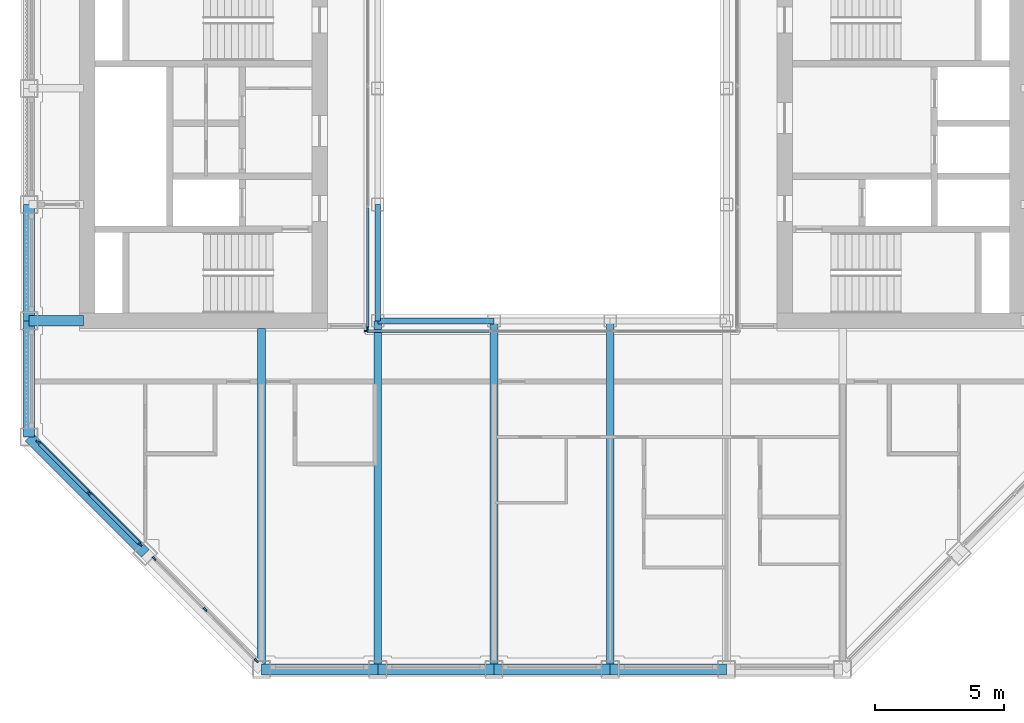
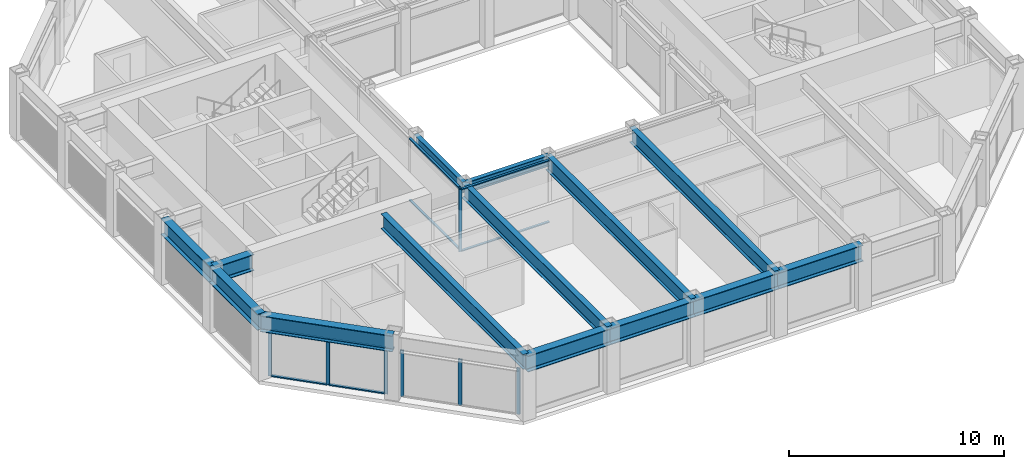
# One storey, part 2 of 17: 16 members, 14 beams, 4 elements without a shape of their own.
"""IFC4 building model written with IfcOpenShell, lengths in metres."""

import ifcopenshell
import ifcopenshell.guid

model = None  # the IFC model being written
_history = None  # IfcOwnerHistory: only IFC2X3 demands one
_inside = {}  # id of a spatial element -> (the spatial element, [elements in it])
_under = {}  # id of a project, library or spatial element -> (it, [spatial elements below it])
_declared = {}  # id of a project -> (the project, [libraries it declares])
_typed = {}  # id of a type object -> (the type object, [elements of that type])
_made_of = {}  # id of a material, layer set ... -> (it, [elements and type objects made of it])


def new_model(schema):
    """Start an empty IFC model of exactly this schema.

    Asked for "IFC4X3", IfcOpenShell would pick the latest addendum, in which some entities
    have other attributes; the version numbers below select the first issue.
    IFC2X3 requires an IfcOwnerHistory on every rooted entity: one is made here for all.
    """
    global model, _history
    if schema == "IFC4X3":
        model = ifcopenshell.file(schema_version=(4, 3, 0, 0))
    else:
        model = ifcopenshell.file(schema=schema)
    _inside.clear()
    _under.clear()
    _declared.clear()
    _typed.clear()
    _made_of.clear()
    _history = None
    if model.schema == "IFC2X3":
        org = make("IfcOrganization", Name="unknown")
        user = make(
            "IfcPersonAndOrganization",
            ThePerson=make("IfcPerson", FamilyName="unknown"),
            TheOrganization=org,
        )
        app = make(
            "IfcApplication",
            ApplicationDeveloper=org,
            Version="unknown",
            ApplicationFullName="unknown",
            ApplicationIdentifier="unknown",
        )
        _history = make(
            "IfcOwnerHistory",
            OwningUser=user,
            OwningApplication=app,
            ChangeAction="ADDED",
            CreationDate=0,
        )
    return model


def make(cls, **values):
    """One entity of the class cls with the attributes given. An attribute that is None is left unset."""
    return model.create_entity(
        cls, **{name: value for name, value in values.items() if value is not None}
    )


def rooted(cls, **values):
    """An entity with a GlobalId (a new one), such as an element, a storey or a relation."""
    return make(cls, GlobalId=ifcopenshell.guid.new(), OwnerHistory=_history, **values)


def si_unit(unit_type, name, prefix=None):
    """IfcSIUnit, for example si_unit("LENGTHUNIT", "METRE", prefix="MILLI")."""
    return make("IfcSIUnit", UnitType=unit_type, Prefix=prefix, Name=name)


def assignment(units):
    """IfcUnitAssignment: the units of a project."""
    return None if units is None else make("IfcUnitAssignment", Units=units)


def point(xyz):
    """IfcCartesianPoint."""
    return None if xyz is None else make("IfcCartesianPoint", Coordinates=xyz)


def direction(xyz):
    """IfcDirection."""
    return None if xyz is None else make("IfcDirection", DirectionRatios=xyz)


def frame(location, z_axis=None, x_axis=None):
    """IfcAxis2Placement3D, a coordinate frame: its origin and axes. An axis left out is left unset."""
    return make(
        "IfcAxis2Placement3D",
        Location=point(location),
        Axis=direction(z_axis),
        RefDirection=direction(x_axis),
    )


def frame_2d(location, x_axis=None):
    """IfcAxis2Placement2D, a coordinate frame in the plane: its origin and x axis."""
    return make(
        "IfcAxis2Placement2D", Location=point(location), RefDirection=direction(x_axis)
    )


def origin():
    """The frame at (0, 0, 0) with its axes left unset."""
    return frame((0.0, 0.0, 0.0))


def origin_2d():
    """The frame at (0, 0) in the plane with its x axis left unset."""
    return frame_2d((0.0, 0.0))


def place(relative_to, where):
    """IfcLocalPlacement: puts the frame where relative to a parent placement (None: the world)."""
    return make(
        "IfcLocalPlacement", PlacementRelTo=relative_to, RelativePlacement=where
    )


def context(
    kind, dimensions, precision=None, world=None, true_north=None, identifier=None
):
    """IfcGeometricRepresentationContext, for example the 3D "Model" context."""
    return make(
        "IfcGeometricRepresentationContext",
        ContextIdentifier=identifier,
        ContextType=kind,
        CoordinateSpaceDimension=dimensions,
        Precision=precision,
        WorldCoordinateSystem=world,
        TrueNorth=true_north,
    )


def subcontext(parent, identifier, kind, view, scale=None):
    """IfcGeometricRepresentationSubContext, for example "Body" below "Model"."""
    return make(
        "IfcGeometricRepresentationSubContext",
        ContextIdentifier=identifier,
        ContextType=kind,
        ParentContext=parent,
        TargetScale=scale,
        TargetView=view,
    )


def project(units=None, contexts=None):
    """IfcProject with its units and contexts."""
    return rooted(
        "IfcProject",
        Name="project",
        RepresentationContexts=contexts,
        UnitsInContext=assignment(units),
    )


def spatial(cls, under=None, at=None, **own):
    """A site, building, storey or space (cls), placed at a placement, below another one or the project."""
    s = rooted(cls, ObjectPlacement=at, **own)
    if under is not None:
        _under.setdefault(under.id(), (under, []))[1].append(s)
    return s


def profile(cls, at=None, kind="AREA", **sizes):
    """A parametric profile (cls). Its sizes go by their IFC names, for example OverallWidth=200.0."""
    return make(cls, ProfileType=kind, Position=at, **sizes)


def rectangle(**sizes):
    """IfcRectangleProfileDef."""
    return profile("IfcRectangleProfileDef", **sizes)


def i_section(**sizes):
    """IfcIShapeProfileDef."""
    return profile("IfcIShapeProfileDef", **sizes)


def extrude(swept, where, along, depth):
    """IfcExtrudedAreaSolid: the profile swept, set in the frame where, extruded along a direction by depth."""
    return make(
        "IfcExtrudedAreaSolid",
        SweptArea=swept,
        Position=where,
        ExtrudedDirection=direction(along),
        Depth=depth,
    )


def shape(context_of_items, identifier, shape_type, items):
    """IfcShapeRepresentation: the items that make up one representation, for example the "Body"."""
    return make(
        "IfcShapeRepresentation",
        ContextOfItems=context_of_items,
        RepresentationIdentifier=identifier,
        RepresentationType=shape_type,
        Items=items,
    )


def material(Name=None, Category=None):
    """IfcMaterial."""
    return make("IfcMaterial", Name=Name, Category=Category)


def material_profile(
    of_material, cross_section, Name=None, Category=None, Priority=None
):
    """IfcMaterialProfile: a cross section and its material."""
    return make(
        "IfcMaterialProfile",
        Name=Name,
        Material=of_material,
        Profile=cross_section,
        Priority=Priority,
        Category=Category,
    )


def profile_set(profiles, Name=None, composite=None):
    """IfcMaterialProfileSet."""
    return make(
        "IfcMaterialProfileSet",
        Name=Name,
        MaterialProfiles=profiles,
        CompositeProfile=composite,
    )


def made_of(thing, what):
    """Note that an element or type object is made of a material, layer set ...; save() writes the relation."""
    if what is not None:
        _made_of.setdefault(what.id(), (what, []))[1].append(thing)
    return thing


def type_object(cls, material=None, **own):
    """A type object (cls), such as IfcWallType, which elements share."""
    return made_of(rooted(cls, **own), material)


def element(
    cls,
    number,
    at=None,
    inside=None,
    cuts=None,
    type_object=None,
    material=None,
    context=None,
    identifier="Body",
    shape_type=None,
    held_by="IfcProductDefinitionShape",
    body=None,
    shapes=None,
    **own,
):
    """One element of the class cls, such as IfcWall. Its Tag is "e" and its number.

    at: its placement. inside: the storey or other place that contains it. cuts: it is an
    opening in that element (IfcRelVoidsElement). A single representation is given by context,
    identifier, shape_type and body (its items); several are given by shapes. held_by: the class
    of the entity that holds the representations. save() writes the other relations.
    """
    e = rooted(cls, Tag="e%d" % number, ObjectPlacement=at, **own)
    if body is not None:
        shapes = [shape(context, identifier, shape_type, body)]
    if shapes is not None:
        e.Representation = make(held_by, Representations=shapes)
    if inside is not None:
        _inside.setdefault(inside.id(), (inside, []))[1].append(e)
    if cuts is not None:
        rooted(
            "IfcRelVoidsElement", RelatingBuildingElement=cuts, RelatedOpeningElement=e
        )
    if type_object is not None:
        _typed.setdefault(type_object.id(), (type_object, []))[1].append(e)
    return made_of(e, material)


def aggregate(whole, parts):
    """IfcRelAggregates: a whole, such as a stair, and the parts it consists of."""
    return rooted("IfcRelAggregates", RelatingObject=whole, RelatedObjects=parts)


def save(model, path):
    """Write the relations noted so far, then the file.

    IfcRelAggregates (storeys below a building ...), IfcRelContainedInSpatialStructure (elements
    in a storey), IfcRelDefinesByType, IfcRelAssociatesMaterial and IfcRelDeclares: one each for
    every whole, place, type object, material and project.
    """
    for whole, parts in _under.values():
        aggregate(whole, parts)
    for where, things in _inside.values():
        rooted(
            "IfcRelContainedInSpatialStructure",
            RelatedElements=things,
            RelatingStructure=where,
        )
    for kind, things in _typed.values():
        rooted("IfcRelDefinesByType", RelatedObjects=things, RelatingType=kind)
    for what, things in _made_of.values():
        rooted("IfcRelAssociatesMaterial", RelatedObjects=things, RelatingMaterial=what)
    for by, libraries in _declared.values():
        rooted("IfcRelDeclares", RelatingContext=by, RelatedDefinitions=libraries)
    model.write(path)


model = new_model("IFC4")

# Units and contexts
model_context = context("Model", 3, precision=1e-05, world=origin(), true_north=direction((0.0, 1.0)))
body_context = subcontext(model_context, "Body", "Model", "MODEL_VIEW")
ifc_project = project(units=[si_unit("LENGTHUNIT", "METRE"), si_unit("AREAUNIT", "SQUARE_METRE"), si_unit("VOLUMEUNIT", "CUBIC_METRE"), si_unit("PLANEANGLEUNIT", "RADIAN"), si_unit("MASSUNIT", "GRAM", prefix="KILO")], contexts=[model_context])

# Site, building, storey
site_placement = place(None, origin())
site = spatial("IfcSite", under=ifc_project, at=site_placement, CompositionType="ELEMENT")
building_placement = place(site_placement, origin())
building = spatial("IfcBuilding", under=site, at=building_placement, Name="Msasa Ring Tower", CompositionType="ELEMENT")
storey_placement = place(building_placement, frame((0.0, 0.0, 238.300048828125)))
storey = spatial("IfcBuildingStorey", under=building, at=storey_placement, Name="L62", CompositionType="ELEMENT", Elevation=238.300048828125)

# Curtain wall, members
ifc_material_1 = material(Name="Aluminium curtain wall with clear glass", Category="aluminium")
curtain_wall_type_1 = type_object("IfcCurtainWallType", Name="CW-C CHAMFER CORNER CURTAIN WALL", PredefinedType="NOTDEFINED", material=ifc_material_1)
curtain_wall_1_placement = place(storey_placement, origin())
curtain_wall_1 = element("IfcCurtainWall", 1, at=curtain_wall_1_placement, inside=storey, type_object=curtain_wall_type_1, Name="Chamfer corner curtain wall SW L62", PredefinedType="NOTDEFINED")
ifc_material_2 = material(Name="Aluminium mullion", Category="aluminium")
ifc_material_profile_1 = material_profile(ifc_material_2, rectangle(XDim=0.06494140625, YDim=0.179931640625, at=origin_2d()), Name="AL 65x180")
ifc_profile_set_1 = profile_set([ifc_material_profile_1], Name="Aluminium mullion")
member_type_1 = type_object("IfcMemberType", Name="CW-C MULLION 65x180", PredefinedType="MULLION", material=ifc_profile_set_1)
member_1_placement = place(storey_placement, frame((-19.9052734375, -11.453369140625, 0.0), z_axis=(0.0, 0.0, 1.0), x_axis=(0.707106781187, 0.707106781187, 0.0)))
member_1 = element("IfcMember", 2, at=member_1_placement, type_object=member_type_1, Name="CW-C mullion 1", PredefinedType="MULLION", context=body_context, shape_type="SweptSolid", body=[
    extrude(rectangle(XDim=0.06494140625, YDim=0.179931640625, at=origin_2d()), origin(), (0.0, 0.0, 1.0), 2.62890625),
])
member_2_placement = place(storey_placement, frame((-17.92919921875, -13.42919921875, 0.0), z_axis=(0.0, 0.0, 1.0), x_axis=(0.707106781187, 0.707106781187, 0.0)))
member_2 = element("IfcMember", 3, at=member_2_placement, type_object=member_type_1, Name="CW-C mullion 2", PredefinedType="MULLION", context=body_context, shape_type="SweptSolid", body=[
    extrude(rectangle(XDim=0.06494140625, YDim=0.179931640625, at=origin_2d()), origin(), (0.0, 0.0, 1.0), 2.62890625),
])
member_3_placement = place(storey_placement, frame((-15.953369140625, -15.4052734375, 0.0), z_axis=(0.0, 0.0, 1.0), x_axis=(0.707106781187, 0.707106781187, 0.0)))
member_3 = element("IfcMember", 4, at=member_3_placement, type_object=member_type_1, Name="CW-C mullion 3", PredefinedType="MULLION", context=body_context, shape_type="SweptSolid", body=[
    extrude(rectangle(XDim=0.06494140625, YDim=0.179931640625, at=origin_2d()), origin(), (0.0, 0.0, 1.0), 2.62890625),
])

curtain_wall_2_placement = place(storey_placement, origin())
curtain_wall_2 = element("IfcCurtainWall", 5, at=curtain_wall_2_placement, inside=storey, type_object=curtain_wall_type_1, Name="Chamfer corner curtain wall SW L62", PredefinedType="NOTDEFINED")
member_4_placement = place(storey_placement, frame((-15.4052734375, -15.953369140625, 0.0), z_axis=(0.0, 0.0, 1.0), x_axis=(0.707106781187, 0.707106781187, 0.0)))
member_4 = element("IfcMember", 6, at=member_4_placement, type_object=member_type_1, Name="CW-C mullion 1", PredefinedType="MULLION", context=body_context, shape_type="SweptSolid", body=[
    extrude(rectangle(XDim=0.06494140625, YDim=0.179931640625, at=origin_2d()), origin(), (0.0, 0.0, 1.0), 2.62890625),
])
member_5_placement = place(storey_placement, frame((-13.42919921875, -17.92919921875, 0.0), z_axis=(0.0, 0.0, 1.0), x_axis=(0.707106781187, 0.707106781187, 0.0)))
member_5 = element("IfcMember", 7, at=member_5_placement, type_object=member_type_1, Name="CW-C mullion 2", PredefinedType="MULLION", context=body_context, shape_type="SweptSolid", body=[
    extrude(rectangle(XDim=0.06494140625, YDim=0.179931640625, at=origin_2d()), origin(), (0.0, 0.0, 1.0), 2.62890625),
])
member_6_placement = place(storey_placement, frame((-11.453369140625, -19.9052734375, 0.0), z_axis=(0.0, 0.0, 1.0), x_axis=(0.707106781187, 0.707106781187, 0.0)))
member_6 = element("IfcMember", 8, at=member_6_placement, type_object=member_type_1, Name="CW-C mullion 3", PredefinedType="MULLION", context=body_context, shape_type="SweptSolid", body=[
    extrude(rectangle(XDim=0.06494140625, YDim=0.179931640625, at=origin_2d()), origin(), (0.0, 0.0, 1.0), 2.62890625),
])
aggregate(curtain_wall_2, [member_4, member_5, member_6])

# Member
ifc_material_3 = material(Name="Aluminium transom", Category="aluminium")
ifc_material_profile_2 = material_profile(ifc_material_3, rectangle(XDim=0.139892578125, YDim=0.06494140625, at=origin_2d()), Name="AL 65x140")
ifc_profile_set_2 = profile_set([ifc_material_profile_2], Name="Aluminium transom")
member_type_2 = type_object("IfcMemberType", Name="CW-C TRANSOM 65x140", PredefinedType="USERDEFINED", material=ifc_profile_set_2)
member_7_placement = place(storey_placement, frame((-19.88232421875, -11.476318359375, 0.032470703125), z_axis=(0.707106781187, -0.707106781187, 0.0), x_axis=(0.707106781187, 0.707106781187, 0.0)))
member_7 = element("IfcMember", 9, at=member_7_placement, type_object=member_type_2, Name="CW-C transom 1.1", ObjectType="TRANSOM", PredefinedType="USERDEFINED", context=body_context, shape_type="SweptSolid", body=[
    extrude(rectangle(XDim=0.139892578125, YDim=0.06494140625, at=origin_2d()), origin(), (0.0, 0.0, 1.0), 2.729248046875),
])

member_8_placement = place(storey_placement, frame((-19.88232421875, -11.476318359375, 2.596435546875), z_axis=(0.707106781187, -0.707106781187, 0.0), x_axis=(0.707106781187, 0.707106781187, 0.0)))
member_8 = element("IfcMember", 10, at=member_8_placement, type_object=member_type_2, Name="CW-C transom 1.2", ObjectType="TRANSOM", PredefinedType="USERDEFINED", context=body_context, shape_type="SweptSolid", body=[
    extrude(rectangle(XDim=0.139892578125, YDim=0.06494140625, at=origin_2d()), origin(), (0.0, 0.0, 1.0), 2.729248046875),
])

member_9_placement = place(storey_placement, frame((-17.90625, -13.452392578125, 0.032470703125), z_axis=(0.707106781187, -0.707106781187, 0.0), x_axis=(0.707106781187, 0.707106781187, 0.0)))
member_9 = element("IfcMember", 11, at=member_9_placement, type_object=member_type_2, Name="CW-C transom 2.1", ObjectType="TRANSOM", PredefinedType="USERDEFINED", context=body_context, shape_type="SweptSolid", body=[
    extrude(rectangle(XDim=0.139892578125, YDim=0.06494140625, at=origin_2d()), origin(), (0.0, 0.0, 1.0), 2.729248046875),
])

member_10_placement = place(storey_placement, frame((-17.90625, -13.452392578125, 2.596435546875), z_axis=(0.707106781187, -0.707106781187, 0.0), x_axis=(0.707106781187, 0.707106781187, 0.0)))
member_10 = element("IfcMember", 12, at=member_10_placement, type_object=member_type_2, Name="CW-C transom 2.2", ObjectType="TRANSOM", PredefinedType="USERDEFINED", context=body_context, shape_type="SweptSolid", body=[
    extrude(rectangle(XDim=0.139892578125, YDim=0.06494140625, at=origin_2d()), origin(), (0.0, 0.0, 1.0), 2.729248046875),
])

aggregate(curtain_wall_1, [member_1, member_2, member_3, member_7, member_8, member_9, member_10])

# Curtain wall, member
ifc_material_4 = material(Name="Aluminium curtain wall with clear glass", Category="aluminium")
curtain_wall_type_2 = type_object("IfcCurtainWallType", Name="CW-W LIGHT WELL CURTAIN WALL", PredefinedType="NOTDEFINED", material=ifc_material_4)
curtain_wall_3_placement = place(storey_placement, origin())
curtain_wall_3 = element("IfcCurtainWall", 13, at=curtain_wall_3_placement, inside=storey, type_object=curtain_wall_type_2, Name="Light well curtain wall S L62", PredefinedType="NOTDEFINED")
ifc_material_5 = material(Name="Aluminium mullion", Category="aluminium")
ifc_material_profile_3 = material_profile(ifc_material_5, rectangle(XDim=0.06005859375, YDim=0.159912109375, at=origin_2d()), Name="AL 60x160")
ifc_profile_set_3 = profile_set([ifc_material_profile_3], Name="Aluminium mullion")
member_type_3 = type_object("IfcMemberType", Name="CW-W MULLION 60x160", PredefinedType="MULLION", material=ifc_profile_set_3)
member_11_placement = place(storey_placement, frame((-7.199951171875, -7.14990234375, 0.0), z_axis=(0.0, 0.0, 1.0), x_axis=(0.0, 1.0, 0.0)))
member_11 = element("IfcMember", 14, at=member_11_placement, type_object=member_type_3, Name="CW-W mullion 1", PredefinedType="MULLION", context=body_context, shape_type="SweptSolid", body=[
    extrude(rectangle(XDim=0.06005859375, YDim=0.159912109375, at=origin_2d()), origin(), (0.0, 0.0, 1.0), 3.550048828125),
])

curtain_wall_4_placement = place(storey_placement, origin())
curtain_wall_4 = element("IfcCurtainWall", 15, at=curtain_wall_4_placement, inside=storey, type_object=curtain_wall_type_2, Name="Light well curtain wall W L62", PredefinedType="NOTDEFINED")
member_12_placement = place(storey_placement, frame((-7.14990234375, -7.0400390625, 0.0), z_axis=(0.0, 0.0, 1.0), x_axis=(-1.0, 0.0, 0.0)))
member_12 = element("IfcMember", 16, at=member_12_placement, type_object=member_type_3, Name="CW-W mullion 1", PredefinedType="MULLION", context=body_context, shape_type="SweptSolid", body=[
    extrude(rectangle(XDim=0.06005859375, YDim=0.159912109375, at=origin_2d()), origin(), (0.0, 0.0, 1.0), 3.550048828125),
])

# Member
ifc_material_6 = material(Name="Aluminium transom", Category="aluminium")
ifc_material_profile_4 = material_profile(ifc_material_6, rectangle(XDim=0.1201171875, YDim=0.06005859375, at=origin_2d()), Name="AL 60x120")
ifc_profile_set_4 = profile_set([ifc_material_profile_4], Name="Aluminium transom")
member_type_4 = type_object("IfcMemberType", Name="CW-W TRANSOM 60x120", PredefinedType="USERDEFINED", material=ifc_profile_set_4)
member_13_placement = place(storey_placement, frame((-7.169921875, -7.14990234375, 0.030029296875), z_axis=(1.0, 0.0, 0.0), x_axis=(0.0, 1.0, 0.0)))
member_13 = element("IfcMember", 17, at=member_13_placement, type_object=member_type_4, Name="CW-W transom 1.1", ObjectType="TRANSOM", PredefinedType="USERDEFINED", context=body_context, shape_type="SweptSolid", body=[
    extrude(rectangle(XDim=0.1201171875, YDim=0.06005859375, at=origin_2d()), origin(), (0.0, 0.0, 1.0), 4.72998046875),
])

member_14_placement = place(storey_placement, frame((-7.169921875, -7.14990234375, 3.52001953125), z_axis=(1.0, 0.0, 0.0), x_axis=(0.0, 1.0, 0.0)))
member_14 = element("IfcMember", 18, at=member_14_placement, type_object=member_type_4, Name="CW-W transom 1.2", ObjectType="TRANSOM", PredefinedType="USERDEFINED", context=body_context, shape_type="SweptSolid", body=[
    extrude(rectangle(XDim=0.1201171875, YDim=0.06005859375, at=origin_2d()), origin(), (0.0, 0.0, 1.0), 4.72998046875),
])

aggregate(curtain_wall_3, [member_11, member_13, member_14])

member_15_placement = place(storey_placement, frame((-7.14990234375, -7.010009765625, 0.030029296875), z_axis=(0.0, 1.0, 0.0), x_axis=(-1.0, 0.0, 0.0)))
member_15 = element("IfcMember", 19, at=member_15_placement, type_object=member_type_4, Name="CW-W transom 1.1", ObjectType="TRANSOM", PredefinedType="USERDEFINED", context=body_context, shape_type="SweptSolid", body=[
    extrude(rectangle(XDim=0.1201171875, YDim=0.06005859375, at=origin_2d()), origin(), (0.0, 0.0, 1.0), 4.623291015625),
])

member_16_placement = place(storey_placement, frame((-7.14990234375, -7.010009765625, 3.52001953125), z_axis=(0.0, 1.0, 0.0), x_axis=(-1.0, 0.0, 0.0)))
member_16 = element("IfcMember", 20, at=member_16_placement, type_object=member_type_4, Name="CW-W transom 1.2", ObjectType="TRANSOM", PredefinedType="USERDEFINED", context=body_context, shape_type="SweptSolid", body=[
    extrude(rectangle(XDim=0.1201171875, YDim=0.06005859375, at=origin_2d()), origin(), (0.0, 0.0, 1.0), 4.623291015625),
])

aggregate(curtain_wall_4, [member_12, member_15, member_16])

# Beams
ifc_material_7 = material(Name="Steel S355", Category="steel")
ifc_material_profile_5 = material_profile(ifc_material_7, i_section(OverallWidth=0.293701171875, OverallDepth=0.850830078125, WebThickness=0.01611328125, FlangeThickness=0.02685546875, FilletRadius=0.017822265625, at=origin_2d()), Name="UB 838x292x226")
ifc_profile_set_5 = profile_set([ifc_material_profile_5], Name="Steel S355")
beam_type_1 = type_object("IfcBeamType", Name="FB5 UB 838x292x226", PredefinedType="BEAM", material=ifc_profile_set_5)
beam_1_placement = place(storey_placement, frame((-11.25, -20.25, 3.12451171875), z_axis=(0.0, 1.0, 0.0), x_axis=(-1.0, 0.0, 0.0)))
element("IfcBeam", 21, at=beam_1_placement, inside=storey, type_object=beam_type_1, Name="Floor beam S-11.25 under L63", PredefinedType="BEAM", context=body_context, shape_type="SweptSolid", body=[
    extrude(i_section(OverallWidth=0.293701171875, OverallDepth=0.850830078125, WebThickness=0.01611328125, FlangeThickness=0.02685546875, FilletRadius=0.017822265625, at=origin_2d()), origin(), (0.0, 0.0, 1.0), 13.199951171875),
])
for number, where, z_axis, x_axis, name in (
    (22, (-6.75, -20.25, 3.12451171875), (0.0, 1.0, 0.0), (-1.0, 0.0, 0.0), "Floor beam S-6.75 under L63"),
    (23, (-2.25, -20.25, 3.12451171875), (0.0, 1.0, 0.0), (-1.0, 0.0, 0.0), "Floor beam S-2.25 under L63"),
    (24, (2.25, -20.25, 3.12451171875), (0.0, 1.0, 0.0), (-1.0, 0.0, 0.0), "Floor beam S+2.25 under L63"),
):
    element("IfcBeam", number, at=place(storey_placement, frame(where, z_axis=z_axis, x_axis=x_axis)), inside=storey, type_object=beam_type_1, Name=name, PredefinedType="BEAM", context=body_context, shape_type="SweptSolid", body=[
        extrude(i_section(OverallWidth=0.293701171875, OverallDepth=0.850830078125, WebThickness=0.01611328125, FlangeThickness=0.02685546875, FilletRadius=0.017822265625, at=origin_2d()), origin(), (0.0, 0.0, 1.0), 13.5),
    ])
ifc_material_8 = material(Name="Steel S355", Category="steel")
ifc_material_profile_6 = material_profile(ifc_material_8, i_section(OverallWidth=0.42041015625, OverallDepth=0.9208984375, WebThickness=0.021484375, FlangeThickness=0.03662109375, FilletRadius=0.024169921875, at=origin_2d()), Name="UB 914x419x388")
ifc_profile_set_6 = profile_set([ifc_material_profile_6], Name="Steel S355")
beam_type_2 = type_object("IfcBeamType", Name="GB1 UB 914x419x388", PredefinedType="BEAM", material=ifc_profile_set_6)
beam_2_placement = place(storey_placement, frame((-18.14990234375, -6.75, 3.08935546875), z_axis=(-1.0, 0.0, 0.0), x_axis=(0.0, -1.0, 0.0)))
element("IfcBeam", 25, at=beam_2_placement, inside=storey, type_object=beam_type_2, Name="Girder W -6.75 under L63", PredefinedType="BEAM", context=body_context, shape_type="SweptSolid", body=[
    extrude(i_section(OverallWidth=0.42041015625, OverallDepth=0.9208984375, WebThickness=0.021484375, FlangeThickness=0.03662109375, FilletRadius=0.024169921875, at=origin_2d()), origin(), (0.0, 0.0, 1.0), 2.10009765625),
])
ifc_material_9 = material(Name="Steel S355", Category="steel")
ifc_material_profile_7 = material_profile(ifc_material_9, i_section(OverallWidth=0.230224609375, OverallDepth=0.6171875, WebThickness=0.01318359375, FlangeThickness=0.022216796875, FilletRadius=0.0126953125, at=origin_2d()), Name="UB 610x229x140")
ifc_profile_set_7 = profile_set([ifc_material_profile_7], Name="Steel S355")
beam_type_3 = type_object("IfcBeamType", Name="RB1 UB 610x229x140", PredefinedType="BEAM", material=ifc_profile_set_7)
for number, where, z_axis, x_axis, name in (
    (26, (-6.75, -2.25, 3.241455078125), (0.0, -1.0, 0.0), (1.0, 0.0, 0.0), "Inner ring beam IR-6.75-2.25 under L63"),
    (27, (-6.75, -6.75, 3.241455078125), (1.0, 0.0, 0.0), (0.0, 1.0, 0.0), "Inner ring beam IR-6.75-6.75 under L63"),
):
    element("IfcBeam", number, at=place(storey_placement, frame(where, z_axis=z_axis, x_axis=x_axis)), inside=storey, type_object=beam_type_3, Name=name, PredefinedType="BEAM", context=body_context, shape_type="SweptSolid", body=[
        extrude(i_section(OverallWidth=0.230224609375, OverallDepth=0.6171875, WebThickness=0.01318359375, FlangeThickness=0.022216796875, FilletRadius=0.0126953125, at=origin_2d()), origin(), (0.0, 0.0, 1.0), 4.5),
    ])
ifc_material_10 = material(Name="Steel S355", Category="steel")
ifc_material_profile_8 = material_profile(ifc_material_10, i_section(OverallWidth=0.42041015625, OverallDepth=0.9208984375, WebThickness=0.021484375, FlangeThickness=0.03662109375, FilletRadius=0.024169921875, at=origin_2d()), Name="UB 914x419x388")
ifc_profile_set_8 = profile_set([ifc_material_profile_8], Name="Steel S355")
beam_type_4 = type_object("IfcBeamType", Name="SB1 UB 914x419x388", PredefinedType="SPANDREL", material=ifc_profile_set_8)
for number, where, z_axis, x_axis, name in (
    (28, (-20.25, -2.25, 3.08935546875), (0.0, -1.0, 0.0), (1.0, 0.0, 0.0), "Spandrel W-2.25 to W-6.75 under L63"),
    (29, (-20.25, -6.75, 3.08935546875), (0.0, -1.0, 0.0), (1.0, 0.0, 0.0), "Spandrel W-6.75 to W-11.25 under L63"),
):
    element("IfcBeam", number, at=place(storey_placement, frame(where, z_axis=z_axis, x_axis=x_axis)), inside=storey, type_object=beam_type_4, Name=name, PredefinedType="SPANDREL", context=body_context, shape_type="SweptSolid", body=[
        extrude(i_section(OverallWidth=0.42041015625, OverallDepth=0.9208984375, WebThickness=0.021484375, FlangeThickness=0.03662109375, FilletRadius=0.024169921875, at=origin_2d()), origin(), (0.0, 0.0, 1.0), 4.5),
    ])
beam_3_placement = place(storey_placement, frame((-20.25, -11.25, 3.08935546875), z_axis=(0.707106781187, -0.707106781187, 0.0), x_axis=(0.707106781187, 0.707106781187, 0.0)))
element("IfcBeam", 30, at=beam_3_placement, inside=storey, type_object=beam_type_4, Name="Spandrel W-11.25 to SW under L63", PredefinedType="SPANDREL", context=body_context, shape_type="SweptSolid", body=[
    extrude(i_section(OverallWidth=0.42041015625, OverallDepth=0.9208984375, WebThickness=0.021484375, FlangeThickness=0.03662109375, FilletRadius=0.024169921875, at=origin_2d()), origin(), (0.0, 0.0, 1.0), 6.364013671875),
])
for number, where, z_axis, x_axis, name in (
    (31, (-11.25, -20.25, 3.08935546875), (1.0, 0.0, 0.0), (0.0, 1.0, 0.0), "Spandrel S-11.25 to S-6.75 under L63"),
    (32, (-6.75, -20.25, 3.08935546875), (1.0, 0.0, 0.0), (0.0, 1.0, 0.0), "Spandrel S-6.75 to S-2.25 under L63"),
    (33, (-2.25, -20.25, 3.08935546875), (1.0, 0.0, 0.0), (0.0, 1.0, 0.0), "Spandrel S-2.25 to S+2.25 under L63"),
    (34, (2.25, -20.25, 3.08935546875), (1.0, 0.0, 0.0), (0.0, 1.0, 0.0), "Spandrel S+2.25 to S+6.75 under L63"),
):
    element("IfcBeam", number, at=place(storey_placement, frame(where, z_axis=z_axis, x_axis=x_axis)), inside=storey, type_object=beam_type_4, Name=name, PredefinedType="SPANDREL", context=body_context, shape_type="SweptSolid", body=[
        extrude(i_section(OverallWidth=0.42041015625, OverallDepth=0.9208984375, WebThickness=0.021484375, FlangeThickness=0.03662109375, FilletRadius=0.024169921875, at=origin_2d()), origin(), (0.0, 0.0, 1.0), 4.5),
    ])

save(model, "model.ifc")
